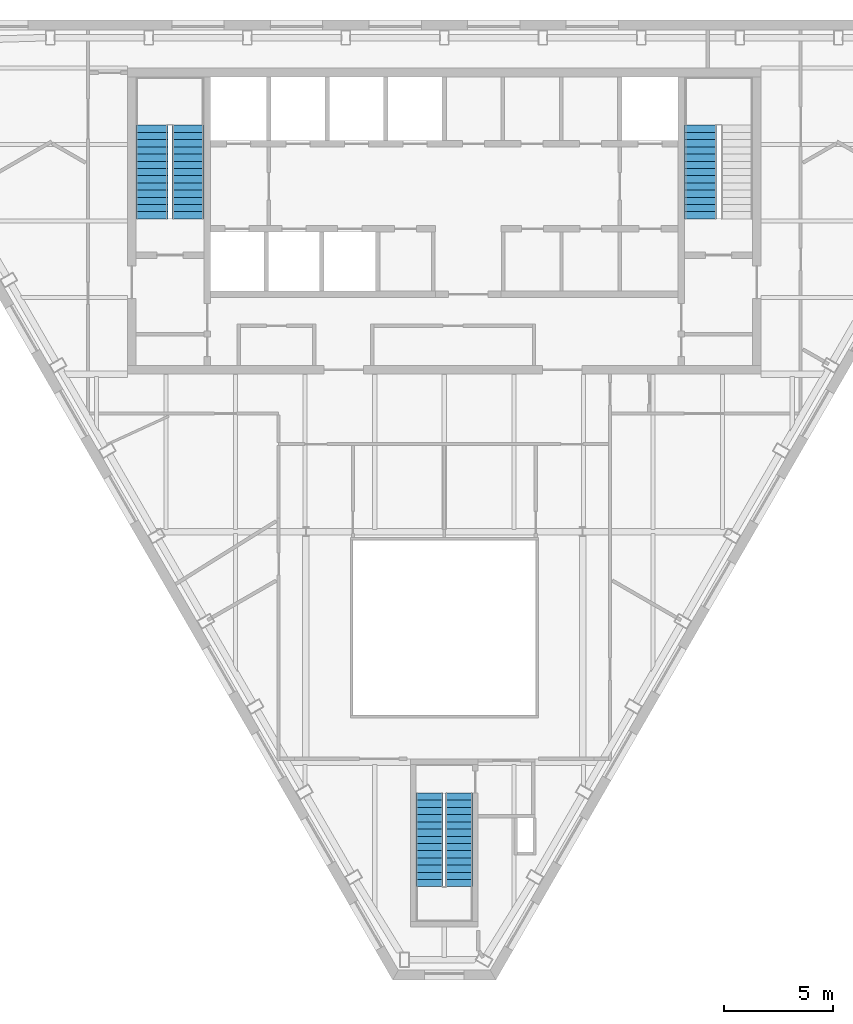
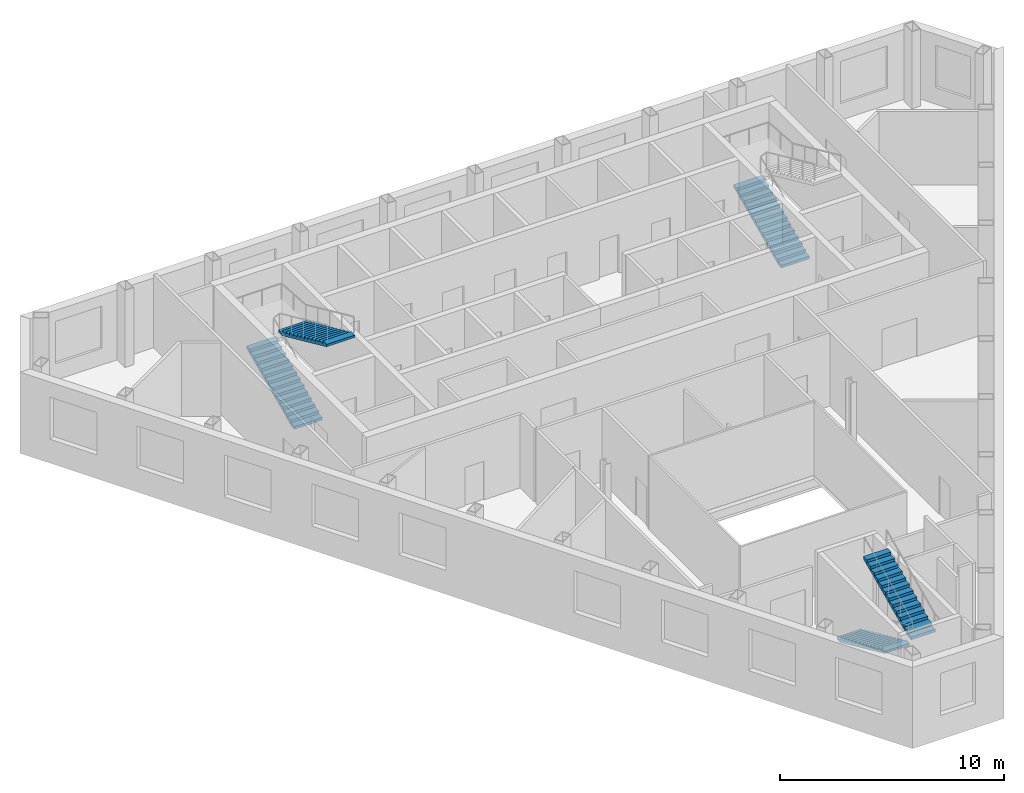
# One storey, part 8 of 10: 5 stair flights, 3 elements without a shape of their own.
"""IFC4 building model written with IfcOpenShell, lengths in metres."""

from ifc_helpers import new_model, si_unit, direction, frame, origin, place, context, subcontext, project, spatial, polygons, material, type_object, element, aggregate, save


model = new_model("IFC4")

# Units and contexts
model_context = context("Model", 3, precision=1e-05, world=origin(), true_north=direction((0.0, 1.0)))
body_context = subcontext(model_context, "Body", "Model", "MODEL_VIEW")
ifc_project = project(units=[si_unit("LENGTHUNIT", "METRE"), si_unit("AREAUNIT", "SQUARE_METRE"), si_unit("VOLUMEUNIT", "CUBIC_METRE"), si_unit("PLANEANGLEUNIT", "RADIAN"), si_unit("MASSUNIT", "GRAM", prefix="KILO")], contexts=[model_context])

# Site, building, storey
site_placement = place(None, origin())
site = spatial("IfcSite", under=ifc_project, at=site_placement, CompositionType="ELEMENT")
building_placement = place(site_placement, origin())
building = spatial("IfcBuilding", under=site, at=building_placement, Name="Njiva Tower", CompositionType="ELEMENT")
storey_placement = place(building_placement, frame((0.0, 0.0, 308.4)))
storey = spatial("IfcBuildingStorey", under=building, at=storey_placement, Name="L70", CompositionType="ELEMENT", Elevation=308.4)

# Stair, stair flights
ifc_material = material(Name="Concrete C40/50", Category="concrete")
stair_type_1 = type_object("IfcStairType", Name="ST1 Exit stair 1250", PredefinedType="HALF_TURN_STAIR", material=ifc_material)
stair_1_placement = place(storey_placement, origin())
stair_1 = element("IfcStair", 1, at=stair_1_placement, inside=storey, type_object=stair_type_1, Name="Stair C", PredefinedType="HALF_TURN_STAIR")
stair_flight_type_1 = type_object("IfcStairFlightType", Name="FL1 Stair flight 1250", PredefinedType="STRAIGHT", material=ifc_material)
stair_flight_1_placement = place(storey_placement, frame((-0.675, -15.16, 0.0), z_axis=(0.0, 0.0, 1.0), x_axis=(0.0, -1.0, 0.0)))
stair_flight_1 = element("IfcStairFlight", 2, at=stair_flight_1_placement, type_object=stair_flight_type_1, Name="ST-C flight 1", NumberOfRisers=14, NumberOfTreads=13, PredefinedType="STRAIGHT", RiserHeight=0.15, TreadLength=0.33, context=body_context, shape_type="Tessellation", body=[
    polygons([(0.0, 0.625, 0.0), (0.0, 0.3125, 0.0), (0.0, 0.0, 0.0), (0.0, -0.3125, 0.0), (0.0, -0.625, 0.0), (0.0, 0.625, 0.15), (0.0, 0.3125, 0.15), (0.0, 0.0, 0.15), (0.0, -0.3125, 0.15), (0.0, -0.625, 0.15), (0.33, 0.625, 0.15), (0.33, 0.3125, 0.15), (0.33, 0.0, 0.15), (0.33, -0.3125, 0.15), (0.33, -0.625, 0.15), (0.33, 0.625, 0.3), (0.33, 0.3125, 0.3), (0.33, 0.0, 0.3), (0.33, -0.3125, 0.3), (0.33, -0.625, 0.3), (0.66, 0.625, 0.3), (0.66, 0.3125, 0.3), (0.66, 0.0, 0.3), (0.66, -0.3125, 0.3), (0.66, -0.625, 0.3), (0.66, 0.625, 0.45), (0.66, 0.3125, 0.45), (0.66, 0.0, 0.45), (0.66, -0.3125, 0.45), (0.66, -0.625, 0.45), (0.99, 0.625, 0.45), (0.99, 0.3125, 0.45), (0.99, 0.0, 0.45), (0.99, -0.3125, 0.45), (0.99, -0.625, 0.45), (0.99, 0.625, 0.6), (0.99, 0.3125, 0.6), (0.99, 0.0, 0.6), (0.99, -0.3125, 0.6), (0.99, -0.625, 0.6), (1.32, 0.625, 0.6), (1.32, 0.3125, 0.6), (1.32, 0.0, 0.6), (1.32, -0.3125, 0.6), (1.32, -0.625, 0.6), (1.32, 0.625, 0.75), (1.32, 0.3125, 0.75), (1.32, 0.0, 0.75), (1.32, -0.3125, 0.75), (1.32, -0.625, 0.75), (1.65, 0.625, 0.75), (1.65, 0.3125, 0.75), (1.65, 0.0, 0.75), (1.65, -0.3125, 0.75), (1.65, -0.625, 0.75), (1.65, 0.625, 0.9), (1.65, 0.3125, 0.9), (1.65, 0.0, 0.9), (1.65, -0.3125, 0.9), (1.65, -0.625, 0.9), (1.98, 0.625, 0.9), (1.98, 0.3125, 0.9), (1.98, 0.0, 0.9), (1.98, -0.3125, 0.9), (1.98, -0.625, 0.9), (1.98, 0.625, 1.05), (1.98, 0.3125, 1.05), (1.98, 0.0, 1.05), (1.98, -0.3125, 1.05), (1.98, -0.625, 1.05), (2.31, 0.625, 1.05), (2.31, 0.3125, 1.05), (2.31, 0.0, 1.05), (2.31, -0.3125, 1.05), (2.31, -0.625, 1.05), (2.31, 0.625, 1.2), (2.31, 0.3125, 1.2), (2.31, 0.0, 1.2), (2.31, -0.3125, 1.2), (2.31, -0.625, 1.2), (2.64, 0.625, 1.2), (2.64, 0.3125, 1.2), (2.64, 0.0, 1.2), (2.64, -0.3125, 1.2), (2.64, -0.625, 1.2), (2.64, 0.625, 1.35), (2.64, 0.3125, 1.35), (2.64, 0.0, 1.35), (2.64, -0.3125, 1.35), (2.64, -0.625, 1.35), (2.97, 0.625, 1.35), (2.97, 0.3125, 1.35), (2.97, 0.0, 1.35), (2.97, -0.3125, 1.35), (2.97, -0.625, 1.35), (2.97, 0.625, 1.5), (2.97, 0.3125, 1.5), (2.97, 0.0, 1.5), (2.97, -0.3125, 1.5), (2.97, -0.625, 1.5), (3.3, 0.625, 1.5), (3.3, 0.3125, 1.5), (3.3, 0.0, 1.5), (3.3, -0.3125, 1.5), (3.3, -0.625, 1.5), (3.3, 0.625, 1.65), (3.3, 0.3125, 1.65), (3.3, 0.0, 1.65), (3.3, -0.3125, 1.65), (3.3, -0.625, 1.65), (3.63, 0.625, 1.65), (3.63, 0.3125, 1.65), (3.63, 0.0, 1.65), (3.63, -0.3125, 1.65), (3.63, -0.625, 1.65), (3.63, 0.625, 1.8), (3.63, 0.3125, 1.8), (3.63, 0.0, 1.8), (3.63, -0.3125, 1.8), (3.63, -0.625, 1.8), (3.96, 0.625, 1.8), (3.96, 0.3125, 1.8), (3.96, 0.0, 1.8), (3.96, -0.3125, 1.8), (3.96, -0.625, 1.8), (3.96, 0.625, 1.95), (3.96, 0.3125, 1.95), (3.96, 0.0, 1.95), (3.96, -0.3125, 1.95), (3.96, -0.625, 1.95), (4.29, 0.625, 1.95), (4.29, 0.3125, 1.95), (4.29, 0.0, 1.95), (4.29, -0.3125, 1.95), (4.29, -0.625, 1.95), (4.29, 0.625, 1.8182), (4.29, 0.3125, 1.8182), (4.29, 0.0, 1.8182), (4.29, -0.3125, 1.8182), (4.29, -0.625, 1.8182), (0.29, 0.625, 0.0), (0.29, 0.3125, 0.0), (0.29, 0.0, 0.0), (0.29, -0.3125, 0.0), (0.29, -0.625, 0.0)], [[[1, 6, 11, 16, 21, 26, 31, 36, 41, 46, 51, 56, 61, 66, 71, 76, 81, 86, 91, 96, 101, 106, 111, 116, 121, 126, 131, 136, 141]], [[145, 140, 135, 130, 125, 120, 115, 110, 105, 100, 95, 90, 85, 80, 75, 70, 65, 60, 55, 50, 45, 40, 35, 30, 25, 20, 15, 10, 5]], [[6, 1, 2, 7]], [[7, 2, 3, 8]], [[8, 3, 4, 9]], [[9, 4, 5, 10]], [[11, 6, 7, 12]], [[12, 7, 8, 13]], [[13, 8, 9, 14]], [[14, 9, 10, 15]], [[16, 11, 12, 17]], [[17, 12, 13, 18]], [[18, 13, 14, 19]], [[19, 14, 15, 20]], [[21, 16, 17, 22]], [[22, 17, 18, 23]], [[23, 18, 19, 24]], [[24, 19, 20, 25]], [[26, 21, 22, 27]], [[27, 22, 23, 28]], [[28, 23, 24, 29]], [[29, 24, 25, 30]], [[31, 26, 27, 32]], [[32, 27, 28, 33]], [[33, 28, 29, 34]], [[34, 29, 30, 35]], [[36, 31, 32, 37]], [[37, 32, 33, 38]], [[38, 33, 34, 39]], [[39, 34, 35, 40]], [[41, 36, 37, 42]], [[42, 37, 38, 43]], [[43, 38, 39, 44]], [[44, 39, 40, 45]], [[46, 41, 42, 47]], [[47, 42, 43, 48]], [[48, 43, 44, 49]], [[49, 44, 45, 50]], [[51, 46, 47, 52]], [[52, 47, 48, 53]], [[53, 48, 49, 54]], [[54, 49, 50, 55]], [[56, 51, 52, 57]], [[57, 52, 53, 58]], [[58, 53, 54, 59]], [[59, 54, 55, 60]], [[61, 56, 57, 62]], [[62, 57, 58, 63]], [[63, 58, 59, 64]], [[64, 59, 60, 65]], [[66, 61, 62, 67]], [[67, 62, 63, 68]], [[68, 63, 64, 69]], [[69, 64, 65, 70]], [[71, 66, 67, 72]], [[72, 67, 68, 73]], [[73, 68, 69, 74]], [[74, 69, 70, 75]], [[76, 71, 72, 77]], [[77, 72, 73, 78]], [[78, 73, 74, 79]], [[79, 74, 75, 80]], [[81, 76, 77, 82]], [[82, 77, 78, 83]], [[83, 78, 79, 84]], [[84, 79, 80, 85]], [[86, 81, 82, 87]], [[87, 82, 83, 88]], [[88, 83, 84, 89]], [[89, 84, 85, 90]], [[91, 86, 87, 92]], [[92, 87, 88, 93]], [[93, 88, 89, 94]], [[94, 89, 90, 95]], [[96, 91, 92, 97]], [[97, 92, 93, 98]], [[98, 93, 94, 99]], [[99, 94, 95, 100]], [[101, 96, 97, 102]], [[102, 97, 98, 103]], [[103, 98, 99, 104]], [[104, 99, 100, 105]], [[106, 101, 102, 107]], [[107, 102, 103, 108]], [[108, 103, 104, 109]], [[109, 104, 105, 110]], [[111, 106, 107, 112]], [[112, 107, 108, 113]], [[113, 108, 109, 114]], [[114, 109, 110, 115]], [[116, 111, 112, 117]], [[117, 112, 113, 118]], [[118, 113, 114, 119]], [[119, 114, 115, 120]], [[121, 116, 117, 122]], [[122, 117, 118, 123]], [[123, 118, 119, 124]], [[124, 119, 120, 125]], [[126, 121, 122, 127]], [[127, 122, 123, 128]], [[128, 123, 124, 129]], [[129, 124, 125, 130]], [[131, 126, 127, 132]], [[132, 127, 128, 133]], [[133, 128, 129, 134]], [[134, 129, 130, 135]], [[136, 131, 132, 137]], [[137, 132, 133, 138]], [[138, 133, 134, 139]], [[139, 134, 135, 140]], [[141, 136, 137, 142]], [[142, 137, 138, 143]], [[143, 138, 139, 144]], [[144, 139, 140, 145]], [[1, 141, 142, 2]], [[2, 142, 143, 3]], [[3, 143, 144, 4]], [[4, 144, 145, 5]]], closed=True),
])
stair_flight_2_placement = place(storey_placement, frame((0.675, -19.45, 2.1), z_axis=(0.0, 0.0, 1.0), x_axis=(0.0, 1.0, 0.0)))
stair_flight_2 = element("IfcStairFlight", 3, at=stair_flight_2_placement, type_object=stair_flight_type_1, Name="ST-C flight 2", NumberOfRisers=14, NumberOfTreads=13, PredefinedType="STRAIGHT", RiserHeight=0.15, TreadLength=0.33, context=body_context, shape_type="Tessellation", body=[
    polygons([(0.0, 0.625, 0.0), (0.0, 0.3125, 0.0), (0.0, 0.0, 0.0), (0.0, -0.3125, 0.0), (0.0, -0.625, 0.0), (0.0, 0.625, 0.15), (0.0, 0.3125, 0.15), (0.0, 0.0, 0.15), (0.0, -0.3125, 0.15), (0.0, -0.625, 0.15), (0.33, 0.625, 0.15), (0.33, 0.3125, 0.15), (0.33, 0.0, 0.15), (0.33, -0.3125, 0.15), (0.33, -0.625, 0.15), (0.33, 0.625, 0.3), (0.33, 0.3125, 0.3), (0.33, 0.0, 0.3), (0.33, -0.3125, 0.3), (0.33, -0.625, 0.3), (0.66, 0.625, 0.3), (0.66, 0.3125, 0.3), (0.66, 0.0, 0.3), (0.66, -0.3125, 0.3), (0.66, -0.625, 0.3), (0.66, 0.625, 0.45), (0.66, 0.3125, 0.45), (0.66, 0.0, 0.45), (0.66, -0.3125, 0.45), (0.66, -0.625, 0.45), (0.99, 0.625, 0.45), (0.99, 0.3125, 0.45), (0.99, 0.0, 0.45), (0.99, -0.3125, 0.45), (0.99, -0.625, 0.45), (0.99, 0.625, 0.6), (0.99, 0.3125, 0.6), (0.99, 0.0, 0.6), (0.99, -0.3125, 0.6), (0.99, -0.625, 0.6), (1.32, 0.625, 0.6), (1.32, 0.3125, 0.6), (1.32, 0.0, 0.6), (1.32, -0.3125, 0.6), (1.32, -0.625, 0.6), (1.32, 0.625, 0.75), (1.32, 0.3125, 0.75), (1.32, 0.0, 0.75), (1.32, -0.3125, 0.75), (1.32, -0.625, 0.75), (1.65, 0.625, 0.75), (1.65, 0.3125, 0.75), (1.65, 0.0, 0.75), (1.65, -0.3125, 0.75), (1.65, -0.625, 0.75), (1.65, 0.625, 0.9), (1.65, 0.3125, 0.9), (1.65, 0.0, 0.9), (1.65, -0.3125, 0.9), (1.65, -0.625, 0.9), (1.98, 0.625, 0.9), (1.98, 0.3125, 0.9), (1.98, 0.0, 0.9), (1.98, -0.3125, 0.9), (1.98, -0.625, 0.9), (1.98, 0.625, 1.05), (1.98, 0.3125, 1.05), (1.98, 0.0, 1.05), (1.98, -0.3125, 1.05), (1.98, -0.625, 1.05), (2.31, 0.625, 1.05), (2.31, 0.3125, 1.05), (2.31, 0.0, 1.05), (2.31, -0.3125, 1.05), (2.31, -0.625, 1.05), (2.31, 0.625, 1.2), (2.31, 0.3125, 1.2), (2.31, 0.0, 1.2), (2.31, -0.3125, 1.2), (2.31, -0.625, 1.2), (2.64, 0.625, 1.2), (2.64, 0.3125, 1.2), (2.64, 0.0, 1.2), (2.64, -0.3125, 1.2), (2.64, -0.625, 1.2), (2.64, 0.625, 1.35), (2.64, 0.3125, 1.35), (2.64, 0.0, 1.35), (2.64, -0.3125, 1.35), (2.64, -0.625, 1.35), (2.97, 0.625, 1.35), (2.97, 0.3125, 1.35), (2.97, 0.0, 1.35), (2.97, -0.3125, 1.35), (2.97, -0.625, 1.35), (2.97, 0.625, 1.5), (2.97, 0.3125, 1.5), (2.97, 0.0, 1.5), (2.97, -0.3125, 1.5), (2.97, -0.625, 1.5), (3.3, 0.625, 1.5), (3.3, 0.3125, 1.5), (3.3, 0.0, 1.5), (3.3, -0.3125, 1.5), (3.3, -0.625, 1.5), (3.3, 0.625, 1.65), (3.3, 0.3125, 1.65), (3.3, 0.0, 1.65), (3.3, -0.3125, 1.65), (3.3, -0.625, 1.65), (3.63, 0.625, 1.65), (3.63, 0.3125, 1.65), (3.63, 0.0, 1.65), (3.63, -0.3125, 1.65), (3.63, -0.625, 1.65), (3.63, 0.625, 1.8), (3.63, 0.3125, 1.8), (3.63, 0.0, 1.8), (3.63, -0.3125, 1.8), (3.63, -0.625, 1.8), (3.96, 0.625, 1.8), (3.96, 0.3125, 1.8), (3.96, 0.0, 1.8), (3.96, -0.3125, 1.8), (3.96, -0.625, 1.8), (3.96, 0.625, 1.95), (3.96, 0.3125, 1.95), (3.96, 0.0, 1.95), (3.96, -0.3125, 1.95), (3.96, -0.625, 1.95), (4.29, 0.625, 1.95), (4.29, 0.3125, 1.95), (4.29, 0.0, 1.95), (4.29, -0.3125, 1.95), (4.29, -0.625, 1.95), (4.29, 0.625, 1.8182), (4.29, 0.3125, 1.8182), (4.29, 0.0, 1.8182), (4.29, -0.3125, 1.8182), (4.29, -0.625, 1.8182), (0.29, 0.625, 0.0), (0.29, 0.3125, 0.0), (0.29, 0.0, 0.0), (0.29, -0.3125, 0.0), (0.29, -0.625, 0.0)], [[[1, 6, 11, 16, 21, 26, 31, 36, 41, 46, 51, 56, 61, 66, 71, 76, 81, 86, 91, 96, 101, 106, 111, 116, 121, 126, 131, 136, 141]], [[145, 140, 135, 130, 125, 120, 115, 110, 105, 100, 95, 90, 85, 80, 75, 70, 65, 60, 55, 50, 45, 40, 35, 30, 25, 20, 15, 10, 5]], [[6, 1, 2, 7]], [[7, 2, 3, 8]], [[8, 3, 4, 9]], [[9, 4, 5, 10]], [[11, 6, 7, 12]], [[12, 7, 8, 13]], [[13, 8, 9, 14]], [[14, 9, 10, 15]], [[16, 11, 12, 17]], [[17, 12, 13, 18]], [[18, 13, 14, 19]], [[19, 14, 15, 20]], [[21, 16, 17, 22]], [[22, 17, 18, 23]], [[23, 18, 19, 24]], [[24, 19, 20, 25]], [[26, 21, 22, 27]], [[27, 22, 23, 28]], [[28, 23, 24, 29]], [[29, 24, 25, 30]], [[31, 26, 27, 32]], [[32, 27, 28, 33]], [[33, 28, 29, 34]], [[34, 29, 30, 35]], [[36, 31, 32, 37]], [[37, 32, 33, 38]], [[38, 33, 34, 39]], [[39, 34, 35, 40]], [[41, 36, 37, 42]], [[42, 37, 38, 43]], [[43, 38, 39, 44]], [[44, 39, 40, 45]], [[46, 41, 42, 47]], [[47, 42, 43, 48]], [[48, 43, 44, 49]], [[49, 44, 45, 50]], [[51, 46, 47, 52]], [[52, 47, 48, 53]], [[53, 48, 49, 54]], [[54, 49, 50, 55]], [[56, 51, 52, 57]], [[57, 52, 53, 58]], [[58, 53, 54, 59]], [[59, 54, 55, 60]], [[61, 56, 57, 62]], [[62, 57, 58, 63]], [[63, 58, 59, 64]], [[64, 59, 60, 65]], [[66, 61, 62, 67]], [[67, 62, 63, 68]], [[68, 63, 64, 69]], [[69, 64, 65, 70]], [[71, 66, 67, 72]], [[72, 67, 68, 73]], [[73, 68, 69, 74]], [[74, 69, 70, 75]], [[76, 71, 72, 77]], [[77, 72, 73, 78]], [[78, 73, 74, 79]], [[79, 74, 75, 80]], [[81, 76, 77, 82]], [[82, 77, 78, 83]], [[83, 78, 79, 84]], [[84, 79, 80, 85]], [[86, 81, 82, 87]], [[87, 82, 83, 88]], [[88, 83, 84, 89]], [[89, 84, 85, 90]], [[91, 86, 87, 92]], [[92, 87, 88, 93]], [[93, 88, 89, 94]], [[94, 89, 90, 95]], [[96, 91, 92, 97]], [[97, 92, 93, 98]], [[98, 93, 94, 99]], [[99, 94, 95, 100]], [[101, 96, 97, 102]], [[102, 97, 98, 103]], [[103, 98, 99, 104]], [[104, 99, 100, 105]], [[106, 101, 102, 107]], [[107, 102, 103, 108]], [[108, 103, 104, 109]], [[109, 104, 105, 110]], [[111, 106, 107, 112]], [[112, 107, 108, 113]], [[113, 108, 109, 114]], [[114, 109, 110, 115]], [[116, 111, 112, 117]], [[117, 112, 113, 118]], [[118, 113, 114, 119]], [[119, 114, 115, 120]], [[121, 116, 117, 122]], [[122, 117, 118, 123]], [[123, 118, 119, 124]], [[124, 119, 120, 125]], [[126, 121, 122, 127]], [[127, 122, 123, 128]], [[128, 123, 124, 129]], [[129, 124, 125, 130]], [[131, 126, 127, 132]], [[132, 127, 128, 133]], [[133, 128, 129, 134]], [[134, 129, 130, 135]], [[136, 131, 132, 137]], [[137, 132, 133, 138]], [[138, 133, 134, 139]], [[139, 134, 135, 140]], [[141, 136, 137, 142]], [[142, 137, 138, 143]], [[143, 138, 139, 144]], [[144, 139, 140, 145]], [[1, 141, 142, 2]], [[2, 142, 143, 3]], [[3, 143, 144, 4]], [[4, 144, 145, 5]]], closed=True),
])
aggregate(stair_1, [stair_flight_1, stair_flight_2])

stair_type_2 = type_object("IfcStairType", Name="ST3 Exit stair 1450", PredefinedType="HALF_TURN_STAIR", material=ifc_material)
stair_2_placement = place(storey_placement, origin())
stair_2 = element("IfcStair", 4, at=stair_2_placement, inside=storey, type_object=stair_type_2, Name="Stair A", PredefinedType="HALF_TURN_STAIR")
stair_flight_type_2 = type_object("IfcStairFlightType", Name="FL3 Stair flight 1450", PredefinedType="STRAIGHT", material=ifc_material)
stair_flight_3_placement = place(storey_placement, frame((-13.375, 11.1, 0.0), z_axis=(0.0, 0.0, 1.0), x_axis=(0.0, 1.0, 0.0)))
stair_flight_3 = element("IfcStairFlight", 5, at=stair_flight_3_placement, type_object=stair_flight_type_2, Name="ST-A flight 1", NumberOfRisers=14, NumberOfTreads=13, PredefinedType="STRAIGHT", RiserHeight=0.15, TreadLength=0.33, context=body_context, shape_type="Tessellation", body=[
    polygons([(0.0, 0.725, 0.0), (0.0, 0.3625, 0.0), (0.0, 0.0, 0.0), (0.0, -0.3625, 0.0), (0.0, -0.725, 0.0), (0.0, 0.725, 0.15), (0.0, 0.3625, 0.15), (0.0, 0.0, 0.15), (0.0, -0.3625, 0.15), (0.0, -0.725, 0.15), (0.33, 0.725, 0.15), (0.33, 0.3625, 0.15), (0.33, 0.0, 0.15), (0.33, -0.3625, 0.15), (0.33, -0.725, 0.15), (0.33, 0.725, 0.3), (0.33, 0.3625, 0.3), (0.33, 0.0, 0.3), (0.33, -0.3625, 0.3), (0.33, -0.725, 0.3), (0.66, 0.725, 0.3), (0.66, 0.3625, 0.3), (0.66, 0.0, 0.3), (0.66, -0.3625, 0.3), (0.66, -0.725, 0.3), (0.66, 0.725, 0.45), (0.66, 0.3625, 0.45), (0.66, 0.0, 0.45), (0.66, -0.3625, 0.45), (0.66, -0.725, 0.45), (0.99, 0.725, 0.45), (0.99, 0.3625, 0.45), (0.99, 0.0, 0.45), (0.99, -0.3625, 0.45), (0.99, -0.725, 0.45), (0.99, 0.725, 0.6), (0.99, 0.3625, 0.6), (0.99, 0.0, 0.6), (0.99, -0.3625, 0.6), (0.99, -0.725, 0.6), (1.32, 0.725, 0.6), (1.32, 0.3625, 0.6), (1.32, 0.0, 0.6), (1.32, -0.3625, 0.6), (1.32, -0.725, 0.6), (1.32, 0.725, 0.75), (1.32, 0.3625, 0.75), (1.32, 0.0, 0.75), (1.32, -0.3625, 0.75), (1.32, -0.725, 0.75), (1.65, 0.725, 0.75), (1.65, 0.3625, 0.75), (1.65, 0.0, 0.75), (1.65, -0.3625, 0.75), (1.65, -0.725, 0.75), (1.65, 0.725, 0.9), (1.65, 0.3625, 0.9), (1.65, 0.0, 0.9), (1.65, -0.3625, 0.9), (1.65, -0.725, 0.9), (1.98, 0.725, 0.9), (1.98, 0.3625, 0.9), (1.98, 0.0, 0.9), (1.98, -0.3625, 0.9), (1.98, -0.725, 0.9), (1.98, 0.725, 1.05), (1.98, 0.3625, 1.05), (1.98, 0.0, 1.05), (1.98, -0.3625, 1.05), (1.98, -0.725, 1.05), (2.31, 0.725, 1.05), (2.31, 0.3625, 1.05), (2.31, 0.0, 1.05), (2.31, -0.3625, 1.05), (2.31, -0.725, 1.05), (2.31, 0.725, 1.2), (2.31, 0.3625, 1.2), (2.31, 0.0, 1.2), (2.31, -0.3625, 1.2), (2.31, -0.725, 1.2), (2.64, 0.725, 1.2), (2.64, 0.3625, 1.2), (2.64, 0.0, 1.2), (2.64, -0.3625, 1.2), (2.64, -0.725, 1.2), (2.64, 0.725, 1.35), (2.64, 0.3625, 1.35), (2.64, 0.0, 1.35), (2.64, -0.3625, 1.35), (2.64, -0.725, 1.35), (2.97, 0.725, 1.35), (2.97, 0.3625, 1.35), (2.97, 0.0, 1.35), (2.97, -0.3625, 1.35), (2.97, -0.725, 1.35), (2.97, 0.725, 1.5), (2.97, 0.3625, 1.5), (2.97, 0.0, 1.5), (2.97, -0.3625, 1.5), (2.97, -0.725, 1.5), (3.3, 0.725, 1.5), (3.3, 0.3625, 1.5), (3.3, 0.0, 1.5), (3.3, -0.3625, 1.5), (3.3, -0.725, 1.5), (3.3, 0.725, 1.65), (3.3, 0.3625, 1.65), (3.3, 0.0, 1.65), (3.3, -0.3625, 1.65), (3.3, -0.725, 1.65), (3.63, 0.725, 1.65), (3.63, 0.3625, 1.65), (3.63, 0.0, 1.65), (3.63, -0.3625, 1.65), (3.63, -0.725, 1.65), (3.63, 0.725, 1.8), (3.63, 0.3625, 1.8), (3.63, 0.0, 1.8), (3.63, -0.3625, 1.8), (3.63, -0.725, 1.8), (3.96, 0.725, 1.8), (3.96, 0.3625, 1.8), (3.96, 0.0, 1.8), (3.96, -0.3625, 1.8), (3.96, -0.725, 1.8), (3.96, 0.725, 1.95), (3.96, 0.3625, 1.95), (3.96, 0.0, 1.95), (3.96, -0.3625, 1.95), (3.96, -0.725, 1.95), (4.29, 0.725, 1.95), (4.29, 0.3625, 1.95), (4.29, 0.0, 1.95), (4.29, -0.3625, 1.95), (4.29, -0.725, 1.95), (4.29, 0.725, 1.8182), (4.29, 0.3625, 1.8182), (4.29, 0.0, 1.8182), (4.29, -0.3625, 1.8182), (4.29, -0.725, 1.8182), (0.29, 0.725, 0.0), (0.29, 0.3625, 0.0), (0.29, 0.0, 0.0), (0.29, -0.3625, 0.0), (0.29, -0.725, 0.0)], [[[1, 6, 11, 16, 21, 26, 31, 36, 41, 46, 51, 56, 61, 66, 71, 76, 81, 86, 91, 96, 101, 106, 111, 116, 121, 126, 131, 136, 141]], [[145, 140, 135, 130, 125, 120, 115, 110, 105, 100, 95, 90, 85, 80, 75, 70, 65, 60, 55, 50, 45, 40, 35, 30, 25, 20, 15, 10, 5]], [[6, 1, 2, 7]], [[7, 2, 3, 8]], [[8, 3, 4, 9]], [[9, 4, 5, 10]], [[11, 6, 7, 12]], [[12, 7, 8, 13]], [[13, 8, 9, 14]], [[14, 9, 10, 15]], [[16, 11, 12, 17]], [[17, 12, 13, 18]], [[18, 13, 14, 19]], [[19, 14, 15, 20]], [[21, 16, 17, 22]], [[22, 17, 18, 23]], [[23, 18, 19, 24]], [[24, 19, 20, 25]], [[26, 21, 22, 27]], [[27, 22, 23, 28]], [[28, 23, 24, 29]], [[29, 24, 25, 30]], [[31, 26, 27, 32]], [[32, 27, 28, 33]], [[33, 28, 29, 34]], [[34, 29, 30, 35]], [[36, 31, 32, 37]], [[37, 32, 33, 38]], [[38, 33, 34, 39]], [[39, 34, 35, 40]], [[41, 36, 37, 42]], [[42, 37, 38, 43]], [[43, 38, 39, 44]], [[44, 39, 40, 45]], [[46, 41, 42, 47]], [[47, 42, 43, 48]], [[48, 43, 44, 49]], [[49, 44, 45, 50]], [[51, 46, 47, 52]], [[52, 47, 48, 53]], [[53, 48, 49, 54]], [[54, 49, 50, 55]], [[56, 51, 52, 57]], [[57, 52, 53, 58]], [[58, 53, 54, 59]], [[59, 54, 55, 60]], [[61, 56, 57, 62]], [[62, 57, 58, 63]], [[63, 58, 59, 64]], [[64, 59, 60, 65]], [[66, 61, 62, 67]], [[67, 62, 63, 68]], [[68, 63, 64, 69]], [[69, 64, 65, 70]], [[71, 66, 67, 72]], [[72, 67, 68, 73]], [[73, 68, 69, 74]], [[74, 69, 70, 75]], [[76, 71, 72, 77]], [[77, 72, 73, 78]], [[78, 73, 74, 79]], [[79, 74, 75, 80]], [[81, 76, 77, 82]], [[82, 77, 78, 83]], [[83, 78, 79, 84]], [[84, 79, 80, 85]], [[86, 81, 82, 87]], [[87, 82, 83, 88]], [[88, 83, 84, 89]], [[89, 84, 85, 90]], [[91, 86, 87, 92]], [[92, 87, 88, 93]], [[93, 88, 89, 94]], [[94, 89, 90, 95]], [[96, 91, 92, 97]], [[97, 92, 93, 98]], [[98, 93, 94, 99]], [[99, 94, 95, 100]], [[101, 96, 97, 102]], [[102, 97, 98, 103]], [[103, 98, 99, 104]], [[104, 99, 100, 105]], [[106, 101, 102, 107]], [[107, 102, 103, 108]], [[108, 103, 104, 109]], [[109, 104, 105, 110]], [[111, 106, 107, 112]], [[112, 107, 108, 113]], [[113, 108, 109, 114]], [[114, 109, 110, 115]], [[116, 111, 112, 117]], [[117, 112, 113, 118]], [[118, 113, 114, 119]], [[119, 114, 115, 120]], [[121, 116, 117, 122]], [[122, 117, 118, 123]], [[123, 118, 119, 124]], [[124, 119, 120, 125]], [[126, 121, 122, 127]], [[127, 122, 123, 128]], [[128, 123, 124, 129]], [[129, 124, 125, 130]], [[131, 126, 127, 132]], [[132, 127, 128, 133]], [[133, 128, 129, 134]], [[134, 129, 130, 135]], [[136, 131, 132, 137]], [[137, 132, 133, 138]], [[138, 133, 134, 139]], [[139, 134, 135, 140]], [[141, 136, 137, 142]], [[142, 137, 138, 143]], [[143, 138, 139, 144]], [[144, 139, 140, 145]], [[1, 141, 142, 2]], [[2, 142, 143, 3]], [[3, 143, 144, 4]], [[4, 144, 145, 5]]], closed=True),
])
stair_flight_4_placement = place(storey_placement, frame((-11.725, 15.39, 2.1), z_axis=(0.0, 0.0, 1.0), x_axis=(0.0, -1.0, 0.0)))
stair_flight_4 = element("IfcStairFlight", 6, at=stair_flight_4_placement, type_object=stair_flight_type_2, Name="ST-A flight 2", NumberOfRisers=14, NumberOfTreads=13, PredefinedType="STRAIGHT", RiserHeight=0.15, TreadLength=0.33, context=body_context, shape_type="Tessellation", body=[
    polygons([(0.0, 0.725, 0.0), (0.0, 0.3625, 0.0), (0.0, 0.0, 0.0), (0.0, -0.3625, 0.0), (0.0, -0.725, 0.0), (0.0, 0.725, 0.15), (0.0, 0.3625, 0.15), (0.0, 0.0, 0.15), (0.0, -0.3625, 0.15), (0.0, -0.725, 0.15), (0.33, 0.725, 0.15), (0.33, 0.3625, 0.15), (0.33, 0.0, 0.15), (0.33, -0.3625, 0.15), (0.33, -0.725, 0.15), (0.33, 0.725, 0.3), (0.33, 0.3625, 0.3), (0.33, 0.0, 0.3), (0.33, -0.3625, 0.3), (0.33, -0.725, 0.3), (0.66, 0.725, 0.3), (0.66, 0.3625, 0.3), (0.66, 0.0, 0.3), (0.66, -0.3625, 0.3), (0.66, -0.725, 0.3), (0.66, 0.725, 0.45), (0.66, 0.3625, 0.45), (0.66, 0.0, 0.45), (0.66, -0.3625, 0.45), (0.66, -0.725, 0.45), (0.99, 0.725, 0.45), (0.99, 0.3625, 0.45), (0.99, 0.0, 0.45), (0.99, -0.3625, 0.45), (0.99, -0.725, 0.45), (0.99, 0.725, 0.6), (0.99, 0.3625, 0.6), (0.99, 0.0, 0.6), (0.99, -0.3625, 0.6), (0.99, -0.725, 0.6), (1.32, 0.725, 0.6), (1.32, 0.3625, 0.6), (1.32, 0.0, 0.6), (1.32, -0.3625, 0.6), (1.32, -0.725, 0.6), (1.32, 0.725, 0.75), (1.32, 0.3625, 0.75), (1.32, 0.0, 0.75), (1.32, -0.3625, 0.75), (1.32, -0.725, 0.75), (1.65, 0.725, 0.75), (1.65, 0.3625, 0.75), (1.65, 0.0, 0.75), (1.65, -0.3625, 0.75), (1.65, -0.725, 0.75), (1.65, 0.725, 0.9), (1.65, 0.3625, 0.9), (1.65, 0.0, 0.9), (1.65, -0.3625, 0.9), (1.65, -0.725, 0.9), (1.98, 0.725, 0.9), (1.98, 0.3625, 0.9), (1.98, 0.0, 0.9), (1.98, -0.3625, 0.9), (1.98, -0.725, 0.9), (1.98, 0.725, 1.05), (1.98, 0.3625, 1.05), (1.98, 0.0, 1.05), (1.98, -0.3625, 1.05), (1.98, -0.725, 1.05), (2.31, 0.725, 1.05), (2.31, 0.3625, 1.05), (2.31, 0.0, 1.05), (2.31, -0.3625, 1.05), (2.31, -0.725, 1.05), (2.31, 0.725, 1.2), (2.31, 0.3625, 1.2), (2.31, 0.0, 1.2), (2.31, -0.3625, 1.2), (2.31, -0.725, 1.2), (2.64, 0.725, 1.2), (2.64, 0.3625, 1.2), (2.64, 0.0, 1.2), (2.64, -0.3625, 1.2), (2.64, -0.725, 1.2), (2.64, 0.725, 1.35), (2.64, 0.3625, 1.35), (2.64, 0.0, 1.35), (2.64, -0.3625, 1.35), (2.64, -0.725, 1.35), (2.97, 0.725, 1.35), (2.97, 0.3625, 1.35), (2.97, 0.0, 1.35), (2.97, -0.3625, 1.35), (2.97, -0.725, 1.35), (2.97, 0.725, 1.5), (2.97, 0.3625, 1.5), (2.97, 0.0, 1.5), (2.97, -0.3625, 1.5), (2.97, -0.725, 1.5), (3.3, 0.725, 1.5), (3.3, 0.3625, 1.5), (3.3, 0.0, 1.5), (3.3, -0.3625, 1.5), (3.3, -0.725, 1.5), (3.3, 0.725, 1.65), (3.3, 0.3625, 1.65), (3.3, 0.0, 1.65), (3.3, -0.3625, 1.65), (3.3, -0.725, 1.65), (3.63, 0.725, 1.65), (3.63, 0.3625, 1.65), (3.63, 0.0, 1.65), (3.63, -0.3625, 1.65), (3.63, -0.725, 1.65), (3.63, 0.725, 1.8), (3.63, 0.3625, 1.8), (3.63, 0.0, 1.8), (3.63, -0.3625, 1.8), (3.63, -0.725, 1.8), (3.96, 0.725, 1.8), (3.96, 0.3625, 1.8), (3.96, 0.0, 1.8), (3.96, -0.3625, 1.8), (3.96, -0.725, 1.8), (3.96, 0.725, 1.95), (3.96, 0.3625, 1.95), (3.96, 0.0, 1.95), (3.96, -0.3625, 1.95), (3.96, -0.725, 1.95), (4.29, 0.725, 1.95), (4.29, 0.3625, 1.95), (4.29, 0.0, 1.95), (4.29, -0.3625, 1.95), (4.29, -0.725, 1.95), (4.29, 0.725, 1.8182), (4.29, 0.3625, 1.8182), (4.29, 0.0, 1.8182), (4.29, -0.3625, 1.8182), (4.29, -0.725, 1.8182), (0.29, 0.725, 0.0), (0.29, 0.3625, 0.0), (0.29, 0.0, 0.0), (0.29, -0.3625, 0.0), (0.29, -0.725, 0.0)], [[[1, 6, 11, 16, 21, 26, 31, 36, 41, 46, 51, 56, 61, 66, 71, 76, 81, 86, 91, 96, 101, 106, 111, 116, 121, 126, 131, 136, 141]], [[145, 140, 135, 130, 125, 120, 115, 110, 105, 100, 95, 90, 85, 80, 75, 70, 65, 60, 55, 50, 45, 40, 35, 30, 25, 20, 15, 10, 5]], [[6, 1, 2, 7]], [[7, 2, 3, 8]], [[8, 3, 4, 9]], [[9, 4, 5, 10]], [[11, 6, 7, 12]], [[12, 7, 8, 13]], [[13, 8, 9, 14]], [[14, 9, 10, 15]], [[16, 11, 12, 17]], [[17, 12, 13, 18]], [[18, 13, 14, 19]], [[19, 14, 15, 20]], [[21, 16, 17, 22]], [[22, 17, 18, 23]], [[23, 18, 19, 24]], [[24, 19, 20, 25]], [[26, 21, 22, 27]], [[27, 22, 23, 28]], [[28, 23, 24, 29]], [[29, 24, 25, 30]], [[31, 26, 27, 32]], [[32, 27, 28, 33]], [[33, 28, 29, 34]], [[34, 29, 30, 35]], [[36, 31, 32, 37]], [[37, 32, 33, 38]], [[38, 33, 34, 39]], [[39, 34, 35, 40]], [[41, 36, 37, 42]], [[42, 37, 38, 43]], [[43, 38, 39, 44]], [[44, 39, 40, 45]], [[46, 41, 42, 47]], [[47, 42, 43, 48]], [[48, 43, 44, 49]], [[49, 44, 45, 50]], [[51, 46, 47, 52]], [[52, 47, 48, 53]], [[53, 48, 49, 54]], [[54, 49, 50, 55]], [[56, 51, 52, 57]], [[57, 52, 53, 58]], [[58, 53, 54, 59]], [[59, 54, 55, 60]], [[61, 56, 57, 62]], [[62, 57, 58, 63]], [[63, 58, 59, 64]], [[64, 59, 60, 65]], [[66, 61, 62, 67]], [[67, 62, 63, 68]], [[68, 63, 64, 69]], [[69, 64, 65, 70]], [[71, 66, 67, 72]], [[72, 67, 68, 73]], [[73, 68, 69, 74]], [[74, 69, 70, 75]], [[76, 71, 72, 77]], [[77, 72, 73, 78]], [[78, 73, 74, 79]], [[79, 74, 75, 80]], [[81, 76, 77, 82]], [[82, 77, 78, 83]], [[83, 78, 79, 84]], [[84, 79, 80, 85]], [[86, 81, 82, 87]], [[87, 82, 83, 88]], [[88, 83, 84, 89]], [[89, 84, 85, 90]], [[91, 86, 87, 92]], [[92, 87, 88, 93]], [[93, 88, 89, 94]], [[94, 89, 90, 95]], [[96, 91, 92, 97]], [[97, 92, 93, 98]], [[98, 93, 94, 99]], [[99, 94, 95, 100]], [[101, 96, 97, 102]], [[102, 97, 98, 103]], [[103, 98, 99, 104]], [[104, 99, 100, 105]], [[106, 101, 102, 107]], [[107, 102, 103, 108]], [[108, 103, 104, 109]], [[109, 104, 105, 110]], [[111, 106, 107, 112]], [[112, 107, 108, 113]], [[113, 108, 109, 114]], [[114, 109, 110, 115]], [[116, 111, 112, 117]], [[117, 112, 113, 118]], [[118, 113, 114, 119]], [[119, 114, 115, 120]], [[121, 116, 117, 122]], [[122, 117, 118, 123]], [[123, 118, 119, 124]], [[124, 119, 120, 125]], [[126, 121, 122, 127]], [[127, 122, 123, 128]], [[128, 123, 124, 129]], [[129, 124, 125, 130]], [[131, 126, 127, 132]], [[132, 127, 128, 133]], [[133, 128, 129, 134]], [[134, 129, 130, 135]], [[136, 131, 132, 137]], [[137, 132, 133, 138]], [[138, 133, 134, 139]], [[139, 134, 135, 140]], [[141, 136, 137, 142]], [[142, 137, 138, 143]], [[143, 138, 139, 144]], [[144, 139, 140, 145]], [[1, 141, 142, 2]], [[2, 142, 143, 3]], [[3, 143, 144, 4]], [[4, 144, 145, 5]]], closed=True),
])
aggregate(stair_2, [stair_flight_3, stair_flight_4])

# Stair, stair flight
stair_3_placement = place(storey_placement, origin())
stair_3 = element("IfcStair", 7, at=stair_3_placement, inside=storey, type_object=stair_type_2, Name="Stair B", PredefinedType="HALF_TURN_STAIR")
stair_flight_5_placement = place(storey_placement, frame((11.725, 11.1, 0.0), z_axis=(0.0, 0.0, 1.0), x_axis=(0.0, 1.0, 0.0)))
stair_flight_5 = element("IfcStairFlight", 8, at=stair_flight_5_placement, type_object=stair_flight_type_2, Name="ST-B flight 1", NumberOfRisers=14, NumberOfTreads=13, PredefinedType="STRAIGHT", RiserHeight=0.15, TreadLength=0.33, context=body_context, shape_type="Tessellation", body=[
    polygons([(0.0, 0.725, 0.0), (0.0, 0.3625, 0.0), (0.0, 0.0, 0.0), (0.0, -0.3625, 0.0), (0.0, -0.725, 0.0), (0.0, 0.725, 0.15), (0.0, 0.3625, 0.15), (0.0, 0.0, 0.15), (0.0, -0.3625, 0.15), (0.0, -0.725, 0.15), (0.33, 0.725, 0.15), (0.33, 0.3625, 0.15), (0.33, 0.0, 0.15), (0.33, -0.3625, 0.15), (0.33, -0.725, 0.15), (0.33, 0.725, 0.3), (0.33, 0.3625, 0.3), (0.33, 0.0, 0.3), (0.33, -0.3625, 0.3), (0.33, -0.725, 0.3), (0.66, 0.725, 0.3), (0.66, 0.3625, 0.3), (0.66, 0.0, 0.3), (0.66, -0.3625, 0.3), (0.66, -0.725, 0.3), (0.66, 0.725, 0.45), (0.66, 0.3625, 0.45), (0.66, 0.0, 0.45), (0.66, -0.3625, 0.45), (0.66, -0.725, 0.45), (0.99, 0.725, 0.45), (0.99, 0.3625, 0.45), (0.99, 0.0, 0.45), (0.99, -0.3625, 0.45), (0.99, -0.725, 0.45), (0.99, 0.725, 0.6), (0.99, 0.3625, 0.6), (0.99, 0.0, 0.6), (0.99, -0.3625, 0.6), (0.99, -0.725, 0.6), (1.32, 0.725, 0.6), (1.32, 0.3625, 0.6), (1.32, 0.0, 0.6), (1.32, -0.3625, 0.6), (1.32, -0.725, 0.6), (1.32, 0.725, 0.75), (1.32, 0.3625, 0.75), (1.32, 0.0, 0.75), (1.32, -0.3625, 0.75), (1.32, -0.725, 0.75), (1.65, 0.725, 0.75), (1.65, 0.3625, 0.75), (1.65, 0.0, 0.75), (1.65, -0.3625, 0.75), (1.65, -0.725, 0.75), (1.65, 0.725, 0.9), (1.65, 0.3625, 0.9), (1.65, 0.0, 0.9), (1.65, -0.3625, 0.9), (1.65, -0.725, 0.9), (1.98, 0.725, 0.9), (1.98, 0.3625, 0.9), (1.98, 0.0, 0.9), (1.98, -0.3625, 0.9), (1.98, -0.725, 0.9), (1.98, 0.725, 1.05), (1.98, 0.3625, 1.05), (1.98, 0.0, 1.05), (1.98, -0.3625, 1.05), (1.98, -0.725, 1.05), (2.31, 0.725, 1.05), (2.31, 0.3625, 1.05), (2.31, 0.0, 1.05), (2.31, -0.3625, 1.05), (2.31, -0.725, 1.05), (2.31, 0.725, 1.2), (2.31, 0.3625, 1.2), (2.31, 0.0, 1.2), (2.31, -0.3625, 1.2), (2.31, -0.725, 1.2), (2.64, 0.725, 1.2), (2.64, 0.3625, 1.2), (2.64, 0.0, 1.2), (2.64, -0.3625, 1.2), (2.64, -0.725, 1.2), (2.64, 0.725, 1.35), (2.64, 0.3625, 1.35), (2.64, 0.0, 1.35), (2.64, -0.3625, 1.35), (2.64, -0.725, 1.35), (2.97, 0.725, 1.35), (2.97, 0.3625, 1.35), (2.97, 0.0, 1.35), (2.97, -0.3625, 1.35), (2.97, -0.725, 1.35), (2.97, 0.725, 1.5), (2.97, 0.3625, 1.5), (2.97, 0.0, 1.5), (2.97, -0.3625, 1.5), (2.97, -0.725, 1.5), (3.3, 0.725, 1.5), (3.3, 0.3625, 1.5), (3.3, 0.0, 1.5), (3.3, -0.3625, 1.5), (3.3, -0.725, 1.5), (3.3, 0.725, 1.65), (3.3, 0.3625, 1.65), (3.3, 0.0, 1.65), (3.3, -0.3625, 1.65), (3.3, -0.725, 1.65), (3.63, 0.725, 1.65), (3.63, 0.3625, 1.65), (3.63, 0.0, 1.65), (3.63, -0.3625, 1.65), (3.63, -0.725, 1.65), (3.63, 0.725, 1.8), (3.63, 0.3625, 1.8), (3.63, 0.0, 1.8), (3.63, -0.3625, 1.8), (3.63, -0.725, 1.8), (3.96, 0.725, 1.8), (3.96, 0.3625, 1.8), (3.96, 0.0, 1.8), (3.96, -0.3625, 1.8), (3.96, -0.725, 1.8), (3.96, 0.725, 1.95), (3.96, 0.3625, 1.95), (3.96, 0.0, 1.95), (3.96, -0.3625, 1.95), (3.96, -0.725, 1.95), (4.29, 0.725, 1.95), (4.29, 0.3625, 1.95), (4.29, 0.0, 1.95), (4.29, -0.3625, 1.95), (4.29, -0.725, 1.95), (4.29, 0.725, 1.8182), (4.29, 0.3625, 1.8182), (4.29, 0.0, 1.8182), (4.29, -0.3625, 1.8182), (4.29, -0.725, 1.8182), (0.29, 0.725, 0.0), (0.29, 0.3625, 0.0), (0.29, 0.0, 0.0), (0.29, -0.3625, 0.0), (0.29, -0.725, 0.0)], [[[1, 6, 11, 16, 21, 26, 31, 36, 41, 46, 51, 56, 61, 66, 71, 76, 81, 86, 91, 96, 101, 106, 111, 116, 121, 126, 131, 136, 141]], [[145, 140, 135, 130, 125, 120, 115, 110, 105, 100, 95, 90, 85, 80, 75, 70, 65, 60, 55, 50, 45, 40, 35, 30, 25, 20, 15, 10, 5]], [[6, 1, 2, 7]], [[7, 2, 3, 8]], [[8, 3, 4, 9]], [[9, 4, 5, 10]], [[11, 6, 7, 12]], [[12, 7, 8, 13]], [[13, 8, 9, 14]], [[14, 9, 10, 15]], [[16, 11, 12, 17]], [[17, 12, 13, 18]], [[18, 13, 14, 19]], [[19, 14, 15, 20]], [[21, 16, 17, 22]], [[22, 17, 18, 23]], [[23, 18, 19, 24]], [[24, 19, 20, 25]], [[26, 21, 22, 27]], [[27, 22, 23, 28]], [[28, 23, 24, 29]], [[29, 24, 25, 30]], [[31, 26, 27, 32]], [[32, 27, 28, 33]], [[33, 28, 29, 34]], [[34, 29, 30, 35]], [[36, 31, 32, 37]], [[37, 32, 33, 38]], [[38, 33, 34, 39]], [[39, 34, 35, 40]], [[41, 36, 37, 42]], [[42, 37, 38, 43]], [[43, 38, 39, 44]], [[44, 39, 40, 45]], [[46, 41, 42, 47]], [[47, 42, 43, 48]], [[48, 43, 44, 49]], [[49, 44, 45, 50]], [[51, 46, 47, 52]], [[52, 47, 48, 53]], [[53, 48, 49, 54]], [[54, 49, 50, 55]], [[56, 51, 52, 57]], [[57, 52, 53, 58]], [[58, 53, 54, 59]], [[59, 54, 55, 60]], [[61, 56, 57, 62]], [[62, 57, 58, 63]], [[63, 58, 59, 64]], [[64, 59, 60, 65]], [[66, 61, 62, 67]], [[67, 62, 63, 68]], [[68, 63, 64, 69]], [[69, 64, 65, 70]], [[71, 66, 67, 72]], [[72, 67, 68, 73]], [[73, 68, 69, 74]], [[74, 69, 70, 75]], [[76, 71, 72, 77]], [[77, 72, 73, 78]], [[78, 73, 74, 79]], [[79, 74, 75, 80]], [[81, 76, 77, 82]], [[82, 77, 78, 83]], [[83, 78, 79, 84]], [[84, 79, 80, 85]], [[86, 81, 82, 87]], [[87, 82, 83, 88]], [[88, 83, 84, 89]], [[89, 84, 85, 90]], [[91, 86, 87, 92]], [[92, 87, 88, 93]], [[93, 88, 89, 94]], [[94, 89, 90, 95]], [[96, 91, 92, 97]], [[97, 92, 93, 98]], [[98, 93, 94, 99]], [[99, 94, 95, 100]], [[101, 96, 97, 102]], [[102, 97, 98, 103]], [[103, 98, 99, 104]], [[104, 99, 100, 105]], [[106, 101, 102, 107]], [[107, 102, 103, 108]], [[108, 103, 104, 109]], [[109, 104, 105, 110]], [[111, 106, 107, 112]], [[112, 107, 108, 113]], [[113, 108, 109, 114]], [[114, 109, 110, 115]], [[116, 111, 112, 117]], [[117, 112, 113, 118]], [[118, 113, 114, 119]], [[119, 114, 115, 120]], [[121, 116, 117, 122]], [[122, 117, 118, 123]], [[123, 118, 119, 124]], [[124, 119, 120, 125]], [[126, 121, 122, 127]], [[127, 122, 123, 128]], [[128, 123, 124, 129]], [[129, 124, 125, 130]], [[131, 126, 127, 132]], [[132, 127, 128, 133]], [[133, 128, 129, 134]], [[134, 129, 130, 135]], [[136, 131, 132, 137]], [[137, 132, 133, 138]], [[138, 133, 134, 139]], [[139, 134, 135, 140]], [[141, 136, 137, 142]], [[142, 137, 138, 143]], [[143, 138, 139, 144]], [[144, 139, 140, 145]], [[1, 141, 142, 2]], [[2, 142, 143, 3]], [[3, 143, 144, 4]], [[4, 144, 145, 5]]], closed=True),
])
aggregate(stair_3, [stair_flight_5])

save(model, "model.ifc")
